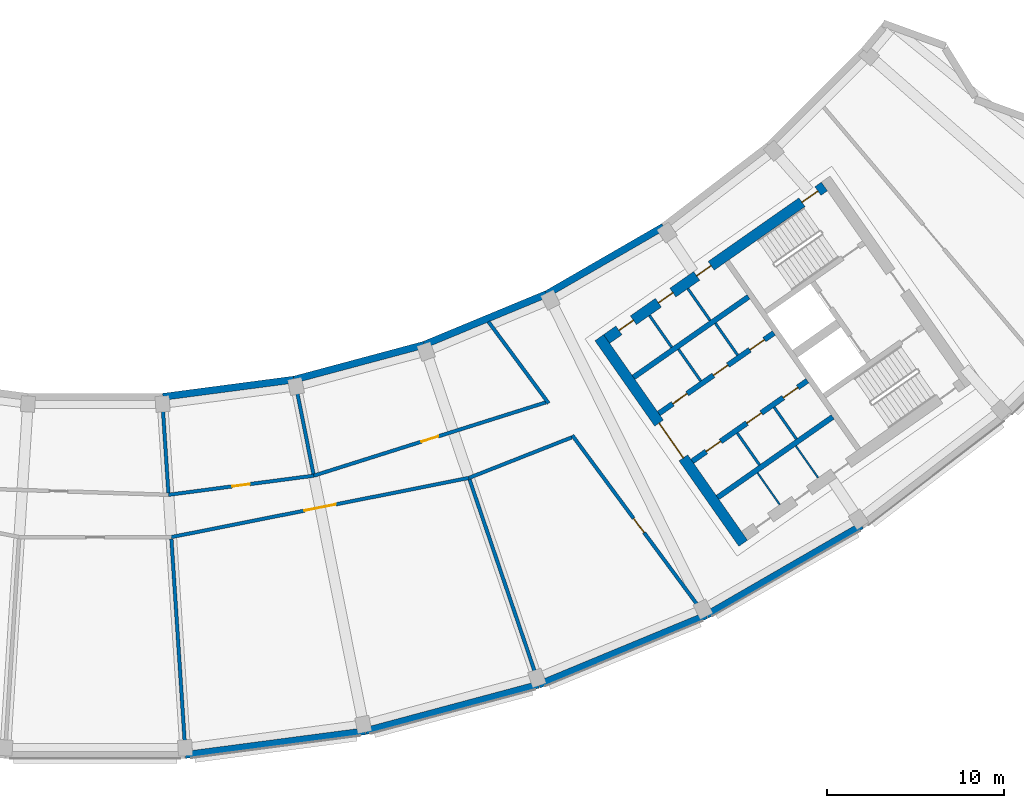
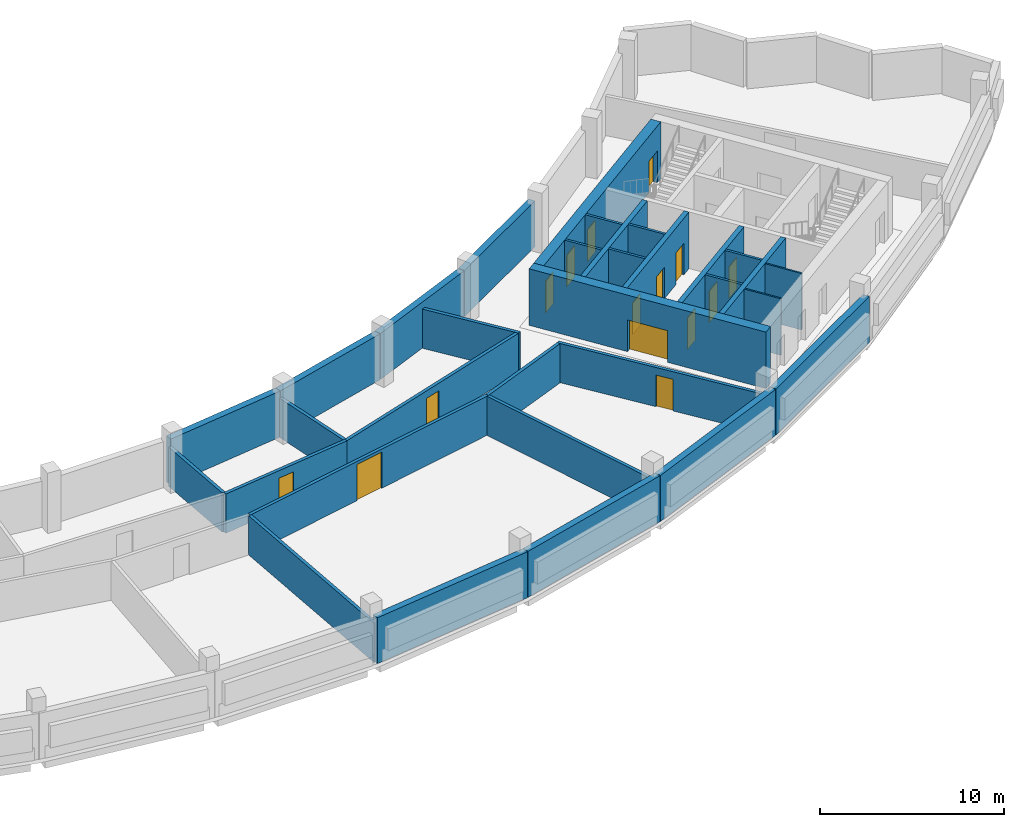
# One storey, part 5 of 11: 32 walls, 15 doors, 15 openings.
"""IFC4 building model written with IfcOpenShell, lengths in metres."""

from ifc_helpers import new_model, si_unit, direction, frame, frame_2d, origin, place, context, subcontext, project, spatial, rectangle, extrude, material, layer, layer_set, type_object, element, fill, save


model = new_model("IFC4")

# Units and contexts
model_context = context("Model", 3, precision=1e-05, world=origin(), true_north=direction((0.0, 1.0)))
body_context = subcontext(model_context, "Body", "Model", "MODEL_VIEW")
ifc_project = project(units=[si_unit("LENGTHUNIT", "METRE"), si_unit("AREAUNIT", "SQUARE_METRE"), si_unit("VOLUMEUNIT", "CUBIC_METRE"), si_unit("PLANEANGLEUNIT", "RADIAN"), si_unit("MASSUNIT", "GRAM", prefix="KILO")], contexts=[model_context])

# Site, building, storey
site_placement = place(None, origin())
site = spatial("IfcSite", under=ifc_project, at=site_placement, CompositionType="ELEMENT")
building_placement = place(site_placement, origin())
building = spatial("IfcBuilding", under=site, at=building_placement, Name="Qamariyya Broadcast Tower", CompositionType="ELEMENT")
storey_placement = place(building_placement, frame((0.0, 0.0, 306.699951171875)))
storey = spatial("IfcBuildingStorey", under=building, at=storey_placement, Name="L74", CompositionType="ELEMENT", Elevation=306.699951171875)

# Wall, opening, door
ifc_material_1 = material(Name="Concrete C60/75", Category="concrete")
ifc_layer_1 = layer(ifc_material_1, 0.60009765625)
ifc_layer_set_1 = layer_set([ifc_layer_1], Name="Core wall 600 mm Concrete C60/75")
wall_type_1 = type_object("IfcWallType", Name="Core wall 600 mm Concrete C60/75", PredefinedType="SHEAR", material=ifc_layer_set_1)
wall_1_placement = place(storey_placement, frame((36.66748046875, -66.005126953125, 0.0), z_axis=(0.0, 0.0, 1.0), x_axis=(-0.573568499524, 0.819157601658, 0.0)))
wall_1 = element("IfcWall", 1, at=wall_1_placement, inside=storey, type_object=wall_type_1, Name="k-E-L74-WA", PredefinedType="SHEAR", context=body_context, shape_type="SweptSolid", body=[
    extrude(rectangle(XDim=14.19970703125, YDim=0.60009765625, at=frame_2d((7.099853515625, 0.0))), origin(), (0.0, 0.0, 1.0), 3.75),
])
opening_1_placement = place(wall_1_placement, frame((5.89990234375, 0.0, 0.0)))
opening_1 = element("IfcOpeningElement", 2, at=opening_1_placement, cuts=wall_1, Name="Opening KD3-E1", PredefinedType="OPENING", context=body_context, shape_type="SweptSolid", body=[
    extrude(rectangle(XDim=2.39990234375, YDim=2.10009765625, at=frame_2d((1.199951171875, 1.050048828125))), frame((0.0, 0.31005859375, 0.0), z_axis=(0.0, -1.0, 0.0), x_axis=(1.0, 0.0, 0.0)), (0.0, 0.0, 1.0), 0.6201171875),
])
ifc_material_2 = material(Name="Steel fire-resisting door leaf", Category="steel")
door_type_1 = type_object("IfcDoorType", Name="Lift lobby door KD3", OperationType="DOUBLE_DOOR_SINGLE_SWING", PredefinedType="DOOR", material=ifc_material_2)
door_1_placement = place(opening_1_placement, origin())
door_1 = element("IfcDoor", 3, at=door_1_placement, inside=storey, type_object=door_type_1, Name="k-E-L74-WA-D1", OperationType="DOUBLE_DOOR_SINGLE_SWING", OverallHeight=2.10009765625, OverallWidth=2.39990234375, PredefinedType="DOOR", context=body_context, shape_type="SweptSolid", body=[
    extrude(rectangle(XDim=2.39990234375, YDim=2.10009765625, at=frame_2d((1.199951171875, 1.050048828125))), frame((0.0, 0.02490234375, 0.0), z_axis=(0.0, -1.0, 0.0), x_axis=(1.0, 0.0, 0.0)), (0.0, 0.0, 1.0), 0.050048828125),
])
fill(opening_1, door_1)

# Wall, openings, doors
wall_2_placement = place(storey_placement, frame((28.940673828125, -54.447021484375, 0.0), z_axis=(0.0, 0.0, 1.0), x_axis=(0.819153391756, 0.573574511963, 0.0)))
wall_2 = element("IfcWall", 4, at=wall_2_placement, inside=storey, type_object=wall_type_1, Name="k-E-L74-WI", PredefinedType="SHEAR", context=body_context, shape_type="SweptSolid", body=[
    extrude(rectangle(XDim=15.04541015625, YDim=0.60009765625, at=frame_2d((7.522705078125, 0.0))), origin(), (0.0, 0.0, 1.0), 3.75),
])
opening_2_placement = place(wall_2_placement, frame((0.85009765625, 0.0, 0.0)))
opening_2 = element("IfcOpeningElement", 5, at=opening_2_placement, cuts=wall_2, Name="Opening KD4-E7", PredefinedType="OPENING", context=body_context, shape_type="SweptSolid", body=[
    extrude(rectangle(XDim=1.0, YDim=2.10009765625, at=frame_2d((0.5, 1.050048828125))), frame((0.0, 0.31005859375, 0.0), z_axis=(0.0, -1.0, 0.0), x_axis=(1.0, 0.0, 0.0)), (0.0, 0.0, 1.0), 0.6201171875),
])
opening_3_placement = place(wall_2_placement, frame((3.574951171875, 0.0, 0.0)))
opening_3 = element("IfcOpeningElement", 6, at=opening_3_placement, cuts=wall_2, Name="Opening KD4-E8", PredefinedType="OPENING", context=body_context, shape_type="SweptSolid", body=[
    extrude(rectangle(XDim=1.0, YDim=2.10009765625, at=frame_2d((0.5, 1.050048828125))), frame((0.0, 0.31005859375, 0.0), z_axis=(0.0, -1.0, 0.0), x_axis=(1.0, 0.0, 0.0)), (0.0, 0.0, 1.0), 0.6201171875),
])
opening_4_placement = place(wall_2_placement, frame((6.22509765625, 0.0, 0.0)))
opening_4 = element("IfcOpeningElement", 7, at=opening_4_placement, cuts=wall_2, Name="Opening KD4-E9", PredefinedType="OPENING", context=body_context, shape_type="SweptSolid", body=[
    extrude(rectangle(XDim=1.0, YDim=2.10009765625, at=frame_2d((0.5, 1.050048828125))), frame((0.0, 0.31005859375, 0.0), z_axis=(0.0, -1.0, 0.0), x_axis=(1.0, 0.0, 0.0)), (0.0, 0.0, 1.0), 0.6201171875),
])
opening_5_placement = place(wall_2_placement, frame((13.495361328125, 0.0, 0.0)))
opening_5 = element("IfcOpeningElement", 8, at=opening_5_placement, cuts=wall_2, Name="Opening KD1-E1", PredefinedType="OPENING", context=body_context, shape_type="SweptSolid", body=[
    extrude(rectangle(XDim=1.10009765625, YDim=2.10009765625, at=frame_2d((0.550048828125, 1.050048828125))), frame((0.0, 0.31005859375, 0.0), z_axis=(0.0, -1.0, 0.0), x_axis=(1.0, 0.0, 0.0)), (0.0, 0.0, 1.0), 0.6201171875),
])
door_type_2 = type_object("IfcDoorType", Name="Riser and plant door KD4", OperationType="SINGLE_SWING_LEFT", PredefinedType="DOOR", material=ifc_material_2)
door_2_placement = place(opening_2_placement, origin())
door_2 = element("IfcDoor", 9, at=door_2_placement, inside=storey, type_object=door_type_2, Name="k-E-L74-WI-D8", OperationType="SINGLE_SWING_RIGHT", OverallHeight=2.10009765625, OverallWidth=1.0, PredefinedType="DOOR", context=body_context, shape_type="SweptSolid", body=[
    extrude(rectangle(XDim=1.0, YDim=2.10009765625, at=frame_2d((0.5, 1.050048828125))), frame((0.0, 0.02490234375, 0.0), z_axis=(0.0, -1.0, 0.0), x_axis=(1.0, 0.0, 0.0)), (0.0, 0.0, 1.0), 0.050048828125),
])
fill(opening_2, door_2)
door_3_placement = place(opening_3_placement, origin())
door_3 = element("IfcDoor", 10, at=door_3_placement, inside=storey, type_object=door_type_2, Name="k-E-L74-WI-D9", OperationType="SINGLE_SWING_LEFT", OverallHeight=2.10009765625, OverallWidth=1.0, PredefinedType="DOOR", context=body_context, shape_type="SweptSolid", body=[
    extrude(rectangle(XDim=1.0, YDim=2.10009765625, at=frame_2d((0.5, 1.050048828125))), frame((0.0, 0.02490234375, 0.0), z_axis=(0.0, -1.0, 0.0), x_axis=(1.0, 0.0, 0.0)), (0.0, 0.0, 1.0), 0.050048828125),
])
fill(opening_3, door_3)
door_4_placement = place(opening_4_placement, origin())
door_4 = element("IfcDoor", 11, at=door_4_placement, inside=storey, type_object=door_type_2, Name="k-E-L74-WI-D10", OperationType="SINGLE_SWING_RIGHT", OverallHeight=2.10009765625, OverallWidth=1.0, PredefinedType="DOOR", context=body_context, shape_type="SweptSolid", body=[
    extrude(rectangle(XDim=1.0, YDim=2.10009765625, at=frame_2d((0.5, 1.050048828125))), frame((0.0, 0.02490234375, 0.0), z_axis=(0.0, -1.0, 0.0), x_axis=(1.0, 0.0, 0.0)), (0.0, 0.0, 1.0), 0.050048828125),
])
fill(opening_4, door_4)
door_type_3 = type_object("IfcDoorType", Name="Stair door KD1", OperationType="SINGLE_SWING_LEFT", PredefinedType="DOOR", material=ifc_material_2)
door_5_placement = place(opening_5_placement, origin())
door_5 = element("IfcDoor", 12, at=door_5_placement, inside=storey, type_object=door_type_3, Name="k-E-L74-WI-D17", OperationType="SINGLE_SWING_RIGHT", OverallHeight=2.10009765625, OverallWidth=1.10009765625, PredefinedType="DOOR", context=body_context, shape_type="SweptSolid", body=[
    extrude(rectangle(XDim=1.10009765625, YDim=2.10009765625, at=frame_2d((0.550048828125, 1.050048828125))), frame((0.0, 0.02490234375, 0.0), z_axis=(0.0, -1.0, 0.0), x_axis=(1.0, 0.0, 0.0)), (0.0, 0.0, 1.0), 0.050048828125),
])
fill(opening_5, door_5)

# Walls
ifc_material_3 = material(Name="Gypsum board partition on steel studs", Category="steel")
ifc_layer_2 = layer(ifc_material_3, 0.14990234375)
ifc_layer_set_2 = layer_set([ifc_layer_2], Name="Gypsum board partition 150 mm")
wall_type_2 = type_object("IfcWallType", Name="Gypsum board partition 150 mm", PredefinedType="PARTITIONING", material=ifc_layer_set_2)
for number, where, z_axis, x_axis, name in (
    (13, (34.26611328125, -56.822021484375, 0.0), (0.0, 0.0, 1.0), (-0.573581496053, 0.819148501424, 0.0), "k-E-L74-NC300"),
    (14, (36.35498046875, -55.359375, 0.0), (0.0, 0.0, 1.0), (-0.573581496053, 0.819148501424, 0.0), "k-E-L74-NC555"),
):
    element("IfcWall", number, at=place(storey_placement, frame(where, z_axis=z_axis, x_axis=x_axis)), inside=storey, type_object=wall_type_2, Name=name, PredefinedType="PARTITIONING", context=body_context, shape_type="SweptSolid", body=[
        extrude(rectangle(XDim=2.2001953125, YDim=0.14990234375, at=frame_2d((1.10009765625, 0.0))), origin(), (0.0, 0.0, 1.0), 3.75),
    ])
for number, where, z_axis, x_axis, name in (
    (15, (36.330810546875, -59.77099609375, 0.0), (0.0, 0.0, 1.0), (0.573633636671, -0.819111989218, 0.0), "k-E-L74-SC300"),
    (16, (38.419677734375, -58.308349609375, 0.0), (0.0, 0.0, 1.0), (0.573633636671, -0.819111989218, 0.0), "k-E-L74-SC555"),
    (17, (32.627197265625, -54.91748046875, 0.0), (0.0, 0.0, 1.0), (-0.573507030513, 0.819200638399, 0.0), "k-E-L74-NP275"),
    (18, (34.798095703125, -53.3974609375, 0.0), (0.0, 0.0, 1.0), (-0.573633636671, 0.819111989218, 0.0), "k-E-L74-NP540"),
):
    element("IfcWall", number, at=place(storey_placement, frame(where, z_axis=z_axis, x_axis=x_axis)), inside=storey, type_object=wall_type_2, Name=name, PredefinedType="PARTITIONING", context=body_context, shape_type="SweptSolid", body=[
        extrude(rectangle(XDim=2.199951171875, YDim=0.14990234375, at=frame_2d((1.10009765625, 0.0))), origin(), (0.0, 0.0, 1.0), 3.75),
    ])

# Wall, openings, doors
ifc_layer_3 = layer(ifc_material_1, 0.300048828125)
ifc_layer_set_3 = layer_set([ifc_layer_3], Name="Lift shaft wall 300 mm Concrete C60/75")
wall_type_3 = type_object("IfcWallType", Name="Lift shaft wall 300 mm Concrete C60/75", PredefinedType="SOLIDWALL", material=ifc_layer_set_3)
wall_3_placement = place(storey_placement, frame((31.89453125, -58.66552734375, 0.0), z_axis=(0.0, 0.0, 1.0), x_axis=(0.819166993208, 0.573555086491, 0.0)))
wall_3 = element("IfcWall", 19, at=wall_3_placement, inside=storey, type_object=wall_type_3, Name="k-E-L74-NF0", PredefinedType="SOLIDWALL", context=body_context, shape_type="SweptSolid", body=[
    extrude(rectangle(XDim=7.9501953125, YDim=0.300048828125, at=frame_2d((3.97509765625, 0.0))), origin(), (0.0, 0.0, 1.0), 3.75),
])
opening_6_placement = place(wall_3_placement, frame((0.96240234375, 0.0, 0.0)))
opening_6 = element("IfcOpeningElement", 20, at=opening_6_placement, cuts=wall_3, Name="Opening KD4-E1", PredefinedType="OPENING", context=body_context, shape_type="SweptSolid", body=[
    extrude(rectangle(XDim=1.0, YDim=2.10009765625, at=frame_2d((0.5, 1.050048828125))), frame((0.0, 0.159912109375, 0.0), z_axis=(0.0, -1.0, 0.0), x_axis=(1.0, 0.0, 0.0)), (0.0, 0.0, 1.0), 0.320068359375),
])
opening_7_placement = place(wall_3_placement, frame((3.77490234375, 0.0, 0.0)))
opening_7 = element("IfcOpeningElement", 21, at=opening_7_placement, cuts=wall_3, Name="Opening KD4-E2", PredefinedType="OPENING", context=body_context, shape_type="SweptSolid", body=[
    extrude(rectangle(XDim=1.0, YDim=2.10009765625, at=frame_2d((0.5, 1.050048828125))), frame((0.0, 0.159912109375, 0.0), z_axis=(0.0, -1.0, 0.0), x_axis=(1.0, 0.0, 0.0)), (0.0, 0.0, 1.0), 0.320068359375),
])
opening_8_placement = place(wall_3_placement, frame((6.28759765625, 0.0, 0.0)))
opening_8 = element("IfcOpeningElement", 22, at=opening_8_placement, cuts=wall_3, Name="Opening KD4-E3", PredefinedType="OPENING", context=body_context, shape_type="SweptSolid", body=[
    extrude(rectangle(XDim=1.0, YDim=2.10009765625, at=frame_2d((0.5, 1.050048828125))), frame((0.0, 0.159912109375, 0.0), z_axis=(0.0, -1.0, 0.0), x_axis=(1.0, 0.0, 0.0)), (0.0, 0.0, 1.0), 0.320068359375),
])
door_6_placement = place(opening_6_placement, origin())
door_6 = element("IfcDoor", 23, at=door_6_placement, inside=storey, type_object=door_type_2, Name="k-E-L74-NF0-D2", OperationType="SINGLE_SWING_RIGHT", OverallHeight=2.10009765625, OverallWidth=1.0, PredefinedType="DOOR", context=body_context, shape_type="SweptSolid", body=[
    extrude(rectangle(XDim=1.0, YDim=2.10009765625, at=frame_2d((0.5, 1.050048828125))), frame((0.0, 0.02490234375, 0.0), z_axis=(0.0, -1.0, 0.0), x_axis=(1.0, 0.0, 0.0)), (0.0, 0.0, 1.0), 0.050048828125),
])
fill(opening_6, door_6)
door_7_placement = place(opening_7_placement, origin())
door_7 = element("IfcDoor", 24, at=door_7_placement, inside=storey, type_object=door_type_2, Name="k-E-L74-NF0-D3", OperationType="SINGLE_SWING_LEFT", OverallHeight=2.10009765625, OverallWidth=1.0, PredefinedType="DOOR", context=body_context, shape_type="SweptSolid", body=[
    extrude(rectangle(XDim=1.0, YDim=2.10009765625, at=frame_2d((0.5, 1.050048828125))), frame((0.0, 0.02490234375, 0.0), z_axis=(0.0, -1.0, 0.0), x_axis=(1.0, 0.0, 0.0)), (0.0, 0.0, 1.0), 0.050048828125),
])
fill(opening_7, door_7)
door_8_placement = place(opening_8_placement, origin())
door_8 = element("IfcDoor", 25, at=door_8_placement, inside=storey, type_object=door_type_2, Name="k-E-L74-NF0-D4", OperationType="SINGLE_SWING_RIGHT", OverallHeight=2.10009765625, OverallWidth=1.0, PredefinedType="DOOR", context=body_context, shape_type="SweptSolid", body=[
    extrude(rectangle(XDim=1.0, YDim=2.10009765625, at=frame_2d((0.5, 1.050048828125))), frame((0.0, 0.02490234375, 0.0), z_axis=(0.0, -1.0, 0.0), x_axis=(1.0, 0.0, 0.0)), (0.0, 0.0, 1.0), 0.050048828125),
])
fill(opening_8, door_8)

# Wall
wall_4_placement = place(storey_placement, frame((30.460693359375, -56.61767578125, 0.0), z_axis=(0.0, 0.0, 1.0), x_axis=(0.819142461705, 0.573590121456, 0.0)))
element("IfcWall", 26, at=wall_4_placement, inside=storey, type_object=wall_type_3, Name="k-E-L74-NB0", PredefinedType="SOLIDWALL", context=body_context, shape_type="SweptSolid", body=[
    extrude(rectangle(XDim=7.949951171875, YDim=0.300048828125, at=frame_2d((3.97509765625, 0.0))), origin(), (0.0, 0.0, 1.0), 3.75),
])

# Wall, openings, doors
wall_5_placement = place(storey_placement, frame((33.787353515625, -61.368896484375, 0.0), z_axis=(0.0, 0.0, 1.0), x_axis=(0.819152564888, 0.573575692858, 0.0)))
wall_5 = element("IfcWall", 27, at=wall_5_placement, inside=storey, type_object=wall_type_3, Name="k-E-L74-SF0", PredefinedType="SOLIDWALL", context=body_context, shape_type="SweptSolid", body=[
    extrude(rectangle(XDim=7.9501953125, YDim=0.300048828125, at=frame_2d((3.97509765625, 0.0))), origin(), (0.0, 0.0, 1.0), 3.75),
])
opening_9_placement = place(wall_5_placement, frame((0.96240234375, 0.0, 0.0)))
opening_9 = element("IfcOpeningElement", 28, at=opening_9_placement, cuts=wall_5, Name="Opening KD4-E4", PredefinedType="OPENING", context=body_context, shape_type="SweptSolid", body=[
    extrude(rectangle(XDim=1.0, YDim=2.10009765625, at=frame_2d((0.5, 1.050048828125))), frame((0.0, 0.159912109375, 0.0), z_axis=(0.0, -1.0, 0.0), x_axis=(1.0, 0.0, 0.0)), (0.0, 0.0, 1.0), 0.320068359375),
])
opening_10_placement = place(wall_5_placement, frame((3.77490234375, 0.0, 0.0)))
opening_10 = element("IfcOpeningElement", 29, at=opening_10_placement, cuts=wall_5, Name="Opening KD4-E5", PredefinedType="OPENING", context=body_context, shape_type="SweptSolid", body=[
    extrude(rectangle(XDim=1.0, YDim=2.10009765625, at=frame_2d((0.5, 1.050048828125))), frame((0.0, 0.159912109375, 0.0), z_axis=(0.0, -1.0, 0.0), x_axis=(1.0, 0.0, 0.0)), (0.0, 0.0, 1.0), 0.320068359375),
])
opening_11_placement = place(wall_5_placement, frame((6.28759765625, 0.0, 0.0)))
opening_11 = element("IfcOpeningElement", 30, at=opening_11_placement, cuts=wall_5, Name="Opening KD4-E6", PredefinedType="OPENING", context=body_context, shape_type="SweptSolid", body=[
    extrude(rectangle(XDim=1.0, YDim=2.10009765625, at=frame_2d((0.5, 1.050048828125))), frame((0.0, 0.159912109375, 0.0), z_axis=(0.0, -1.0, 0.0), x_axis=(1.0, 0.0, 0.0)), (0.0, 0.0, 1.0), 0.320068359375),
])
door_9_placement = place(opening_9_placement, origin())
door_9 = element("IfcDoor", 31, at=door_9_placement, inside=storey, type_object=door_type_2, Name="k-E-L74-SF0-D5", OperationType="SINGLE_SWING_LEFT", OverallHeight=2.10009765625, OverallWidth=1.0, PredefinedType="DOOR", context=body_context, shape_type="SweptSolid", body=[
    extrude(rectangle(XDim=1.0, YDim=2.10009765625, at=frame_2d((0.5, 1.050048828125))), frame((0.0, 0.02490234375, 0.0), z_axis=(0.0, -1.0, 0.0), x_axis=(1.0, 0.0, 0.0)), (0.0, 0.0, 1.0), 0.050048828125),
])
fill(opening_9, door_9)
door_10_placement = place(opening_10_placement, origin())
door_10 = element("IfcDoor", 32, at=door_10_placement, inside=storey, type_object=door_type_2, Name="k-E-L74-SF0-D6", OperationType="SINGLE_SWING_RIGHT", OverallHeight=2.10009765625, OverallWidth=1.0, PredefinedType="DOOR", context=body_context, shape_type="SweptSolid", body=[
    extrude(rectangle(XDim=1.0, YDim=2.10009765625, at=frame_2d((0.5, 1.050048828125))), frame((0.0, 0.02490234375, 0.0), z_axis=(0.0, -1.0, 0.0), x_axis=(1.0, 0.0, 0.0)), (0.0, 0.0, 1.0), 0.050048828125),
])
fill(opening_10, door_10)
door_11_placement = place(opening_11_placement, origin())
door_11 = element("IfcDoor", 33, at=door_11_placement, inside=storey, type_object=door_type_2, Name="k-E-L74-SF0-D7", OperationType="SINGLE_SWING_LEFT", OverallHeight=2.10009765625, OverallWidth=1.0, PredefinedType="DOOR", context=body_context, shape_type="SweptSolid", body=[
    extrude(rectangle(XDim=1.0, YDim=2.10009765625, at=frame_2d((0.5, 1.050048828125))), frame((0.0, 0.02490234375, 0.0), z_axis=(0.0, -1.0, 0.0), x_axis=(1.0, 0.0, 0.0)), (0.0, 0.0, 1.0), 0.050048828125),
])
fill(opening_11, door_11)

# Walls
wall_6_placement = place(storey_placement, frame((35.22119140625, -63.41650390625, 0.0), z_axis=(0.0, 0.0, 1.0), x_axis=(0.819166993208, 0.573555086491, 0.0)))
element("IfcWall", 34, at=wall_6_placement, inside=storey, type_object=wall_type_3, Name="k-E-L74-SB0", PredefinedType="SOLIDWALL", context=body_context, shape_type="SweptSolid", body=[
    extrude(rectangle(XDim=7.9501953125, YDim=0.300048828125, at=frame_2d((3.97509765625, 0.0))), origin(), (0.0, 0.0, 1.0), 3.75),
])
ifc_material_4 = material(Name="Masonry block wall", Category="masonry")
ifc_layer_4 = layer(ifc_material_4, 0.199951171875)
ifc_layer_set_4 = layer_set([ifc_layer_4], Name="Plant room wall 200 EI 120")
wall_type_4 = type_object("IfcWallType", Name="Plant room wall 200 EI 120", PredefinedType="PARTITIONING", material=ifc_layer_set_4)
wall_7_placement = place(storey_placement, frame((3.796630859375, -57.92578125, 0.0), z_axis=(0.0, 0.0, 1.0), x_axis=(0.065429447175, -0.997857197921, 0.0)))
element("IfcWall", 35, at=wall_7_placement, inside=storey, type_object=wall_type_4, Name="Partition L74-014", PredefinedType="PARTITIONING", context=body_context, shape_type="SweptSolid", body=[
    extrude(rectangle(XDim=5.25, YDim=0.199951171875, at=frame_2d((2.625, 0.0))), origin(), (0.0, 0.0, 1.0), 2.60009765625),
])

# Wall, opening, door
wall_8_placement = place(storey_placement, frame((4.146484375, -63.26416015625, 0.0), z_axis=(0.0, 0.0, 1.0), x_axis=(0.991447881484, 0.130503250152, 0.0)))
wall_8 = element("IfcWall", 36, at=wall_8_placement, inside=storey, type_object=wall_type_4, Name="Partition L74-015", PredefinedType="PARTITIONING", context=body_context, shape_type="SweptSolid", body=[
    extrude(rectangle(XDim=8.293212890625, YDim=0.199951171875, at=frame_2d((4.146484375, 0.0))), origin(), (0.0, 0.0, 1.0), 2.60009765625),
])
opening_12_placement = place(wall_8_placement, frame((3.646484375, 0.0, 0.0)))
opening_12 = element("IfcOpeningElement", 37, at=opening_12_placement, cuts=wall_8, Name="Opening L74-D09", PredefinedType="OPENING", context=body_context, shape_type="SweptSolid", body=[
    extrude(rectangle(XDim=1.0, YDim=2.10009765625, at=frame_2d((0.5, 1.050048828125))), frame((0.0, 0.10986328125, 0.0), z_axis=(0.0, -1.0, 0.0), x_axis=(1.0, 0.0, 0.0)), (0.0, 0.0, 1.0), 0.219970703125),
])
ifc_material_5 = material(Name="Insulated metal door leaf")
door_type_4 = type_object("IfcDoorType", Name="Plant door 1000 x 2100 FD120", OperationType="NOTDEFINED", PredefinedType="DOOR", material=ifc_material_5)
door_12_placement = place(opening_12_placement, origin())
door_12 = element("IfcDoor", 38, at=door_12_placement, inside=storey, type_object=door_type_4, Name="Door L74-D09", OperationType="SINGLE_SWING_RIGHT", OverallHeight=2.10009765625, OverallWidth=1.0, PredefinedType="DOOR", context=body_context, shape_type="SweptSolid", body=[
    extrude(rectangle(XDim=1.0, YDim=2.10009765625, at=frame_2d((0.5, 1.050048828125))), frame((0.0, 0.02490234375, 0.0), z_axis=(0.0, -1.0, 0.0), x_axis=(1.0, 0.0, 0.0)), (0.0, 0.0, 1.0), 0.050048828125),
])
fill(opening_12, door_12)

wall_9_placement = place(storey_placement, frame((21.150634765625, -62.30810546875, 0.0), z_axis=(0.0, 0.0, 1.0), x_axis=(-0.980785679695, -0.195088314632, 0.0)))
wall_9 = element("IfcWall", 39, at=wall_9_placement, inside=storey, type_object=wall_type_4, Name="Partition L74-016", PredefinedType="PARTITIONING", context=body_context, shape_type="SweptSolid", body=[
    extrude(rectangle(XDim=17.17724609375, YDim=0.199951171875, at=frame_2d((8.588623046875, 0.0))), origin(), (0.0, 0.0, 1.0), 2.60009765625),
])
opening_13_placement = place(wall_9_placement, frame((7.688720703125, 0.0, 0.0)))
opening_13 = element("IfcOpeningElement", 40, at=opening_13_placement, cuts=wall_9, Name="Opening L74-D04", PredefinedType="OPENING", context=body_context, shape_type="SweptSolid", body=[
    extrude(rectangle(XDim=1.800048828125, YDim=2.39990234375, at=frame_2d((0.89990234375, 1.199951171875))), frame((0.0, 0.10986328125, 0.0), z_axis=(0.0, -1.0, 0.0), x_axis=(1.0, 0.0, 0.0)), (0.0, 0.0, 1.0), 0.219970703125),
])
door_type_5 = type_object("IfcDoorType", Name="Plant double door 1800 x 2400 FD120", OperationType="NOTDEFINED", PredefinedType="DOOR", material=ifc_material_5)
door_13_placement = place(opening_13_placement, origin())
door_13 = element("IfcDoor", 41, at=door_13_placement, inside=storey, type_object=door_type_5, Name="Door L74-D04", OperationType="DOUBLE_DOOR_SINGLE_SWING", OverallHeight=2.39990234375, OverallWidth=1.800048828125, PredefinedType="DOOR", context=body_context, shape_type="SweptSolid", body=[
    extrude(rectangle(XDim=1.800048828125, YDim=2.39990234375, at=frame_2d((0.89990234375, 1.199951171875))), frame((0.0, 0.02490234375, 0.0), z_axis=(0.0, -1.0, 0.0), x_axis=(1.0, 0.0, 0.0)), (0.0, 0.0, 1.0), 0.050048828125),
])
fill(opening_13, door_13)

# Walls
wall_10_placement = place(storey_placement, frame((5.111328125, -77.982666015625, 0.0), z_axis=(0.0, 0.0, 1.0), x_axis=(-0.065409169082, 0.997858527347, 0.0)))
element("IfcWall", 42, at=wall_10_placement, inside=storey, type_object=wall_type_4, Name="Partition L74-017", PredefinedType="PARTITIONING", context=body_context, shape_type="SweptSolid", body=[
    extrude(rectangle(XDim=12.25, YDim=0.199951171875, at=frame_2d((6.125, 0.0))), origin(), (0.0, 0.0, 1.0), 2.60009765625),
])
wall_11_placement = place(storey_placement, frame((11.324951171875, -56.9345703125, 0.0), z_axis=(0.0, 0.0, 1.0), x_axis=(0.195078658365, -0.980787600376, 0.0)))
element("IfcWall", 43, at=wall_11_placement, inside=storey, type_object=wall_type_4, Name="Partition L74-018", PredefinedType="PARTITIONING", context=body_context, shape_type="SweptSolid", body=[
    extrude(rectangle(XDim=5.25, YDim=0.199951171875, at=frame_2d((2.625, 0.0))), origin(), (0.0, 0.0, 1.0), 2.60009765625),
])

# Wall, opening, door
wall_12_placement = place(storey_placement, frame((12.36865234375, -62.181884765625, 0.0), z_axis=(0.0, 0.0, 1.0), x_axis=(0.953549709751, 0.301235706772, 0.0)))
wall_12 = element("IfcWall", 44, at=wall_12_placement, inside=storey, type_object=wall_type_4, Name="Partition L74-019", PredefinedType="PARTITIONING", context=body_context, shape_type="SweptSolid", body=[
    extrude(rectangle(XDim=13.77392578125, YDim=0.199951171875, at=frame_2d((6.886962890625, 0.0))), origin(), (0.0, 0.0, 1.0), 2.60009765625),
])
opening_14_placement = place(wall_12_placement, frame((6.386962890625, 0.0, 0.0)))
opening_14 = element("IfcOpeningElement", 45, at=opening_14_placement, cuts=wall_12, Name="Opening L74-D10", PredefinedType="OPENING", context=body_context, shape_type="SweptSolid", body=[
    extrude(rectangle(XDim=1.0, YDim=2.10009765625, at=frame_2d((0.5, 1.050048828125))), frame((0.0, 0.10986328125, 0.0), z_axis=(0.0, -1.0, 0.0), x_axis=(1.0, 0.0, 0.0)), (0.0, 0.0, 1.0), 0.219970703125),
])
door_14_placement = place(opening_14_placement, origin())
door_14 = element("IfcDoor", 46, at=door_14_placement, inside=storey, type_object=door_type_4, Name="Door L74-D10", OperationType="SINGLE_SWING_RIGHT", OverallHeight=2.10009765625, OverallWidth=1.0, PredefinedType="DOOR", context=body_context, shape_type="SweptSolid", body=[
    extrude(rectangle(XDim=1.0, YDim=2.10009765625, at=frame_2d((0.5, 1.050048828125))), frame((0.0, 0.02490234375, 0.0), z_axis=(0.0, -1.0, 0.0), x_axis=(1.0, 0.0, 0.0)), (0.0, 0.0, 1.0), 0.050048828125),
])
fill(opening_14, door_14)

# Walls
wall_13_placement = place(storey_placement, frame((21.150634765625, -62.30810546875, 0.0), z_axis=(0.0, 0.0, 1.0), x_axis=(0.930313487961, 0.366765339309, 0.0)))
element("IfcWall", 47, at=wall_13_placement, inside=storey, type_object=wall_type_4, Name="Partition L74-020", PredefinedType="PARTITIONING", context=body_context, shape_type="SweptSolid", body=[
    extrude(rectangle(XDim=6.249267578125, YDim=0.199951171875, at=frame_2d((3.12451171875, 0.0))), origin(), (0.0, 0.0, 1.0), 2.60009765625),
])
wall_14_placement = place(storey_placement, frame((22.251953125, -53.469482421875, 0.0), z_axis=(0.0, 0.0, 1.0), x_axis=(0.593885763016, -0.804549377283, 0.0)))
element("IfcWall", 48, at=wall_14_placement, inside=storey, type_object=wall_type_4, Name="Partition L74-021", PredefinedType="PARTITIONING", context=body_context, shape_type="SweptSolid", body=[
    extrude(rectangle(XDim=5.734375, YDim=0.199951171875, at=frame_2d((2.8671875, 0.0))), origin(), (0.0, 0.0, 1.0), 2.60009765625),
])
wall_15_placement = place(storey_placement, frame((25.12060546875, -74.002685546875, 0.0), z_axis=(0.0, 0.0, 1.0), x_axis=(-0.321442509406, 0.946929096156, 0.0)))
element("IfcWall", 49, at=wall_15_placement, inside=storey, type_object=wall_type_4, Name="Partition L74-022", PredefinedType="PARTITIONING", context=body_context, shape_type="SweptSolid", body=[
    extrude(rectangle(XDim=12.250244140625, YDim=0.199951171875, at=frame_2d((6.125, 0.0))), origin(), (0.0, 0.0, 1.0), 2.60009765625),
])

# Wall, opening, door
wall_16_placement = place(storey_placement, frame((34.534423828125, -70.109130859375, 0.0), z_axis=(0.0, 0.0, 1.0), x_axis=(-0.593866233023, 0.804563793167, 0.0)))
wall_16 = element("IfcWall", 50, at=wall_16_placement, inside=storey, type_object=wall_type_4, Name="Partition L74-023", PredefinedType="PARTITIONING", context=body_context, shape_type="SweptSolid", body=[
    extrude(rectangle(XDim=12.6904296875, YDim=0.199951171875, at=frame_2d((6.34521484375, 0.0))), origin(), (0.0, 0.0, 1.0), 2.60009765625),
])
opening_15_placement = place(wall_16_placement, frame((5.84521484375, 0.0, 0.0)))
opening_15 = element("IfcOpeningElement", 51, at=opening_15_placement, cuts=wall_16, Name="Opening L74-D05", PredefinedType="OPENING", context=body_context, shape_type="SweptSolid", body=[
    extrude(rectangle(XDim=1.0, YDim=2.10009765625, at=frame_2d((0.5, 1.050048828125))), frame((0.0, 0.10986328125, 0.0), z_axis=(0.0, -1.0, 0.0), x_axis=(1.0, 0.0, 0.0)), (0.0, 0.0, 1.0), 0.219970703125),
])
door_15_placement = place(opening_15_placement, origin())
door_15 = element("IfcDoor", 52, at=door_15_placement, inside=storey, type_object=door_type_4, Name="Door L74-D05", OperationType="SINGLE_SWING_RIGHT", OverallHeight=2.10009765625, OverallWidth=1.0, PredefinedType="DOOR", context=body_context, shape_type="SweptSolid", body=[
    extrude(rectangle(XDim=1.0, YDim=2.10009765625, at=frame_2d((0.5, 1.050048828125))), frame((0.0, 0.02490234375, 0.0), z_axis=(0.0, -1.0, 0.0), x_axis=(1.0, 0.0, 0.0)), (0.0, 0.0, 1.0), 0.050048828125),
])
fill(opening_15, door_15)

# Walls
ifc_material_6 = material(Name="Fire-rated gypsum shaft liner on steel studs", Category="steel")
ifc_layer_5 = layer(ifc_material_6, 0.10009765625)
ifc_layer_set_5 = layer_set([ifc_layer_5], Name="Riser wall 100 mm")
wall_type_5 = type_object("IfcWallType", Name="Riser wall 100 mm", PredefinedType="PLUMBINGWALL", material=ifc_layer_set_5)
wall_17_placement = place(storey_placement, frame((37.47802734375, -62.01953125, 0.0), z_axis=(0.0, 0.0, 1.0), x_axis=(0.573581496053, -0.819148501424, 0.0)))
element("IfcWall", 53, at=wall_17_placement, inside=storey, type_object=wall_type_5, Name="k-E-L74-SP265", PredefinedType="PLUMBINGWALL", context=body_context, shape_type="SweptSolid", body=[
    extrude(rectangle(XDim=2.2001953125, YDim=0.10009765625, at=frame_2d((1.10009765625, 0.0))), origin(), (0.0, 0.0, 1.0), 3.75),
])
wall_18_placement = place(storey_placement, frame((39.64892578125, -60.49951171875, 0.0), z_axis=(0.0, 0.0, 1.0), x_axis=(0.573507030513, -0.819200638399, 0.0)))
element("IfcWall", 54, at=wall_18_placement, inside=storey, type_object=wall_type_5, Name="k-E-L74-SP530", PredefinedType="PLUMBINGWALL", context=body_context, shape_type="SweptSolid", body=[
    extrude(rectangle(XDim=2.199951171875, YDim=0.10009765625, at=frame_2d((1.10009765625, 0.0))), origin(), (0.0, 0.0, 1.0), 3.75),
])
ifc_material_7 = material(Name="Terracotta", Category="masonry")
ifc_layer_6 = layer(ifc_material_7, 0.39990234375)
ifc_layer_set_6 = layer_set([ifc_layer_6], Name="Solid terracotta louvred band wall 400")
wall_type_6 = type_object("IfcWallType", Name="Solid terracotta louvred band wall 400", PredefinedType="SOLIDWALL", material=ifc_layer_set_6)
wall_19_placement = place(storey_placement, frame((25.539794921875, -51.90380859375, 0.0), z_axis=(0.0, 0.0, 1.0), x_axis=(-0.923872151004, -0.382701252414, 0.0)))
element("IfcWall", 55, at=wall_19_placement, inside=storey, type_object=wall_type_6, Name="e-wl-L74-in100", PredefinedType="SOLIDWALL", context=body_context, shape_type="SweptSolid", body=[
    extrude(rectangle(XDim=7.4658203125, YDim=0.39990234375, at=frame_2d((3.73291015625, 0.0))), origin(), (0.0, 0.0, 1.0), 3.050048828125),
])
wall_20_placement = place(storey_placement, frame((32.16162109375, -48.08837890625, 0.0), z_axis=(0.0, 0.0, 1.0), x_axis=(-0.866025463095, -0.499999897272, 0.0)))
element("IfcWall", 56, at=wall_20_placement, inside=storey, type_object=wall_type_6, Name="e-wl-L74-in110", PredefinedType="SOLIDWALL", context=body_context, shape_type="SweptSolid", body=[
    extrude(rectangle(XDim=7.6171875, YDim=0.39990234375, at=frame_2d((3.80859375, 0.0))), origin(), (0.0, 0.0, 1.0), 3.050048828125),
])
wall_21_placement = place(storey_placement, frame((11.23583984375, -56.745361328125, 0.0), z_axis=(0.0, 0.0, 1.0), x_axis=(-0.991442493144, -0.130544179452, 0.0)))
element("IfcWall", 57, at=wall_21_placement, inside=storey, type_object=wall_type_6, Name="e-wl-L74-in80", PredefinedType="SOLIDWALL", context=body_context, shape_type="SweptSolid", body=[
    extrude(rectangle(XDim=7.4658203125, YDim=0.39990234375, at=frame_2d((3.73291015625, 0.0))), origin(), (0.0, 0.0, 1.0), 3.050048828125),
])
wall_22_placement = place(storey_placement, frame((18.61962890625, -54.77392578125, 0.0), z_axis=(0.0, 0.0, 1.0), x_axis=(-0.965927307138, -0.258813518437, 0.0)))
element("IfcWall", 58, at=wall_22_placement, inside=storey, type_object=wall_type_6, Name="e-wl-L74-in90", PredefinedType="SOLIDWALL", context=body_context, shape_type="SweptSolid", body=[
    extrude(rectangle(XDim=7.6171875, YDim=0.39990234375, at=frame_2d((3.80859375, 0.0))), origin(), (0.0, 0.0, 1.0), 3.050048828125),
])
wall_23_placement = place(storey_placement, frame((25.09716796875, -74.01171875, 0.0), z_axis=(0.0, 0.0, 1.0), x_axis=(0.923877211741, 0.382689035152, 0.0)))
element("IfcWall", 59, at=wall_23_placement, inside=storey, type_object=wall_type_6, Name="e-wl-L74-out100", PredefinedType="SOLIDWALL", context=body_context, shape_type="SweptSolid", body=[
    extrude(rectangle(XDim=10.2724609375, YDim=0.39990234375, at=frame_2d((5.13623046875, 0.0))), origin(), (0.0, 0.0, 1.0), 3.050048828125),
])
wall_24_placement = place(storey_placement, frame((34.608642578125, -70.06494140625, 0.0), z_axis=(0.0, 0.0, 1.0), x_axis=(0.866019679839, 0.500009914033, 0.0)))
element("IfcWall", 60, at=wall_24_placement, inside=storey, type_object=wall_type_6, Name="e-wl-L74-out110", PredefinedType="SOLIDWALL", context=body_context, shape_type="SweptSolid", body=[
    extrude(rectangle(XDim=10.120849609375, YDim=0.39990234375, at=frame_2d((5.060546875, 0.0))), origin(), (0.0, 0.0, 1.0), 3.050048828125),
])
wall_25_placement = place(storey_placement, frame((5.08642578125, -77.985595703125, 0.0), z_axis=(0.0, 0.0, 1.0), x_axis=(0.991444909321, 0.130525828027, 0.0)))
element("IfcWall", 61, at=wall_25_placement, inside=storey, type_object=wall_type_6, Name="e-wl-L74-out80", PredefinedType="SOLIDWALL", context=body_context, shape_type="SweptSolid", body=[
    extrude(rectangle(XDim=10.2724609375, YDim=0.39990234375, at=frame_2d((5.13623046875, 0.0))), origin(), (0.0, 0.0, 1.0), 3.050048828125),
])
wall_26_placement = place(storey_placement, frame((15.295166015625, -76.634765625, 0.0), z_axis=(0.0, 0.0, 1.0), x_axis=(0.965928778267, 0.258808027921, 0.0)))
element("IfcWall", 62, at=wall_26_placement, inside=storey, type_object=wall_type_6, Name="e-wl-L74-out90", PredefinedType="SOLIDWALL", context=body_context, shape_type="SweptSolid", body=[
    extrude(rectangle(XDim=10.120849609375, YDim=0.39990234375, at=frame_2d((5.060546875, 0.0))), origin(), (0.0, 0.0, 1.0), 3.050048828125),
])

save(model, "model.ifc")
